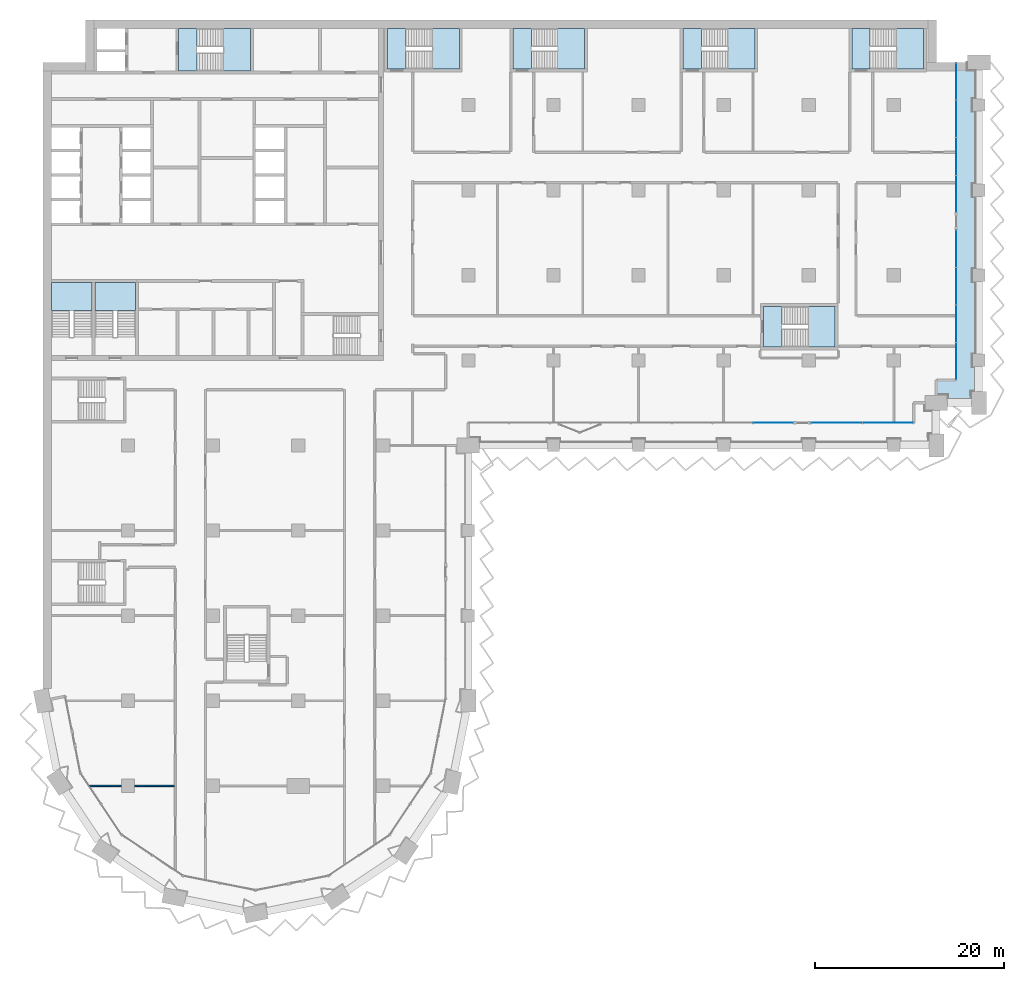
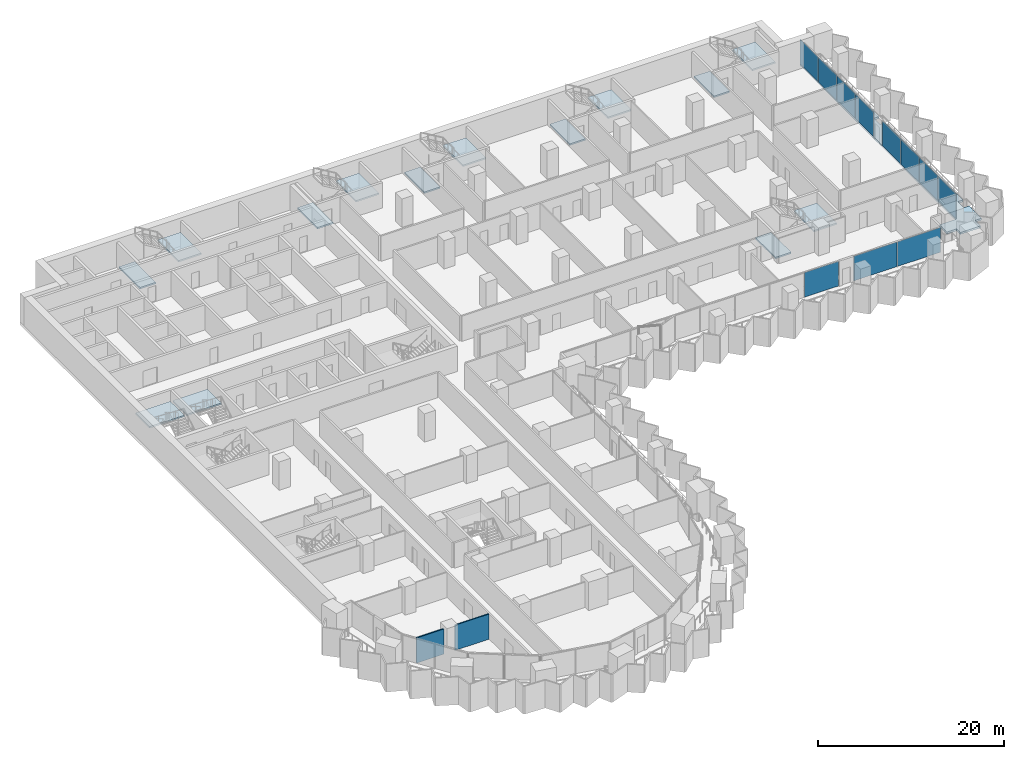
# One storey, part 9 of 28: 15 slabs, 11 plates, 2 walls, 12 elements without a shape of their own.
"""IFC4 building model written with IfcOpenShell, lengths in metres."""

from ifc_helpers import new_model, si_unit, direction, frame, frame_2d, origin, origin_2d, place, context, subcontext, project, spatial, polyline, rectangle, outline, extrude, material, layer, layer_set, type_object, element, aggregate, save


model = new_model("IFC4")

# Units and contexts
model_context = context("Model", 3, precision=1e-05, world=origin(), true_north=direction((0.0, 1.0)))
body_context = subcontext(model_context, "Body", "Model", "MODEL_VIEW")
ifc_project = project(units=[si_unit("LENGTHUNIT", "METRE"), si_unit("AREAUNIT", "SQUARE_METRE"), si_unit("VOLUMEUNIT", "CUBIC_METRE"), si_unit("PLANEANGLEUNIT", "RADIAN"), si_unit("MASSUNIT", "GRAM", prefix="KILO")], contexts=[model_context])

# Site, building, storey
site_placement = place(None, origin())
site = spatial("IfcSite", under=ifc_project, at=site_placement, CompositionType="ELEMENT")
building_placement = place(site_placement, origin())
building = spatial("IfcBuilding", under=site, at=building_placement, Name="Hunhe Ridgeline Campus", CompositionType="ELEMENT")
storey_placement = place(building_placement, frame((0.0, 0.0, 39.5)))
storey = spatial("IfcBuildingStorey", under=building, at=storey_placement, Name="L08", CompositionType="ELEMENT", Elevation=39.5)

# Curtain wall, plate
ifc_material_1 = material(Name="Aluminium 6063", Category="aluminium")
curtain_wall_type = type_object("IfcCurtainWallType", Name="Curtain wall CW-1", PredefinedType="NOTDEFINED", material=ifc_material_1)
curtain_wall_1_placement = place(storey_placement, origin())
curtain_wall_1 = element("IfcCurtainWall", 1, at=curtain_wall_1_placement, inside=storey, type_object=curtain_wall_type, Name="Curtain wall 13", PredefinedType="NOTDEFINED")
ifc_material_2 = material(Name="Low-e laminated glass", Category="glass")
ifc_layer_1 = layer(ifc_material_2, 0.028076171875)
ifc_layer_set_1 = layer_set([ifc_layer_1], Name="Curtain wall glass panel 28 low-e laminated")
plate_type = type_object("IfcPlateType", Name="Curtain wall glass panel 28 low-e laminated", PredefinedType="CURTAIN_PANEL", material=ifc_layer_set_1)
plate_1_placement = place(storey_placement, frame((77.257568359375, 56.40087890625, 0.0), z_axis=(0.0, 0.0, 1.0), x_axis=(0.999999999994, 3.602063e-06, 0.0)))
plate_1 = element("IfcPlate", 2, at=plate_1_placement, type_object=plate_type, Name="CW-1 panel 8", PredefinedType="CURTAIN_PANEL", context=body_context, shape_type="SweptSolid", body=[
    extrude(rectangle(XDim=4.213134765625, YDim=0.028076171875, at=origin_2d()), origin(), (0.0, 0.0, 1.0), 3.239990234375),
])
aggregate(curtain_wall_1, [plate_1])

# Curtain wall, plates
curtain_wall_2_placement = place(storey_placement, origin())
curtain_wall_2 = element("IfcCurtainWall", 3, at=curtain_wall_2_placement, inside=storey, type_object=curtain_wall_type, Name="Curtain wall 14", PredefinedType="NOTDEFINED")
plate_2_placement = place(storey_placement, frame((83.957763671875, 56.40087890625, 0.0), z_axis=(0.0, 0.0, 1.0), x_axis=(0.999999999994, 3.58625e-06, 0.0)))
plate_2 = element("IfcPlate", 4, at=plate_2_placement, type_object=plate_type, Name="CW-1 panel 1", PredefinedType="CURTAIN_PANEL", context=body_context, shape_type="SweptSolid", body=[
    extrude(rectangle(XDim=5.347412109375, YDim=0.028076171875, at=origin_2d()), origin(), (0.0, 0.0, 1.0), 3.239990234375),
])
plate_3_placement = place(storey_placement, frame((89.365234375, 56.40087890625, 0.0), z_axis=(0.0, 0.0, 1.0), x_axis=(0.999999999994, 3.58625e-06, 0.0)))
plate_3 = element("IfcPlate", 5, at=plate_3_placement, type_object=plate_type, Name="CW-1 panel 2", PredefinedType="CURTAIN_PANEL", context=body_context, shape_type="SweptSolid", body=[
    extrude(rectangle(XDim=5.347412109375, YDim=0.028076171875, at=origin_2d()), origin(), (0.0, 0.0, 1.0), 3.239990234375),
])
aggregate(curtain_wall_2, [plate_2, plate_3])

curtain_wall_3_placement = place(storey_placement, origin())
curtain_wall_3 = element("IfcCurtainWall", 6, at=curtain_wall_3_placement, inside=storey, type_object=curtain_wall_type, Name="Curtain wall 15", PredefinedType="NOTDEFINED")
plate_4_placement = place(storey_placement, frame((96.59912109375, 62.9033203125, 0.0), z_axis=(0.0, 0.0, 1.0), x_axis=(0.0, 1.0, 0.0)))
plate_4 = element("IfcPlate", 7, at=plate_4_placement, type_object=plate_type, Name="CW-1 panel 1", PredefinedType="CURTAIN_PANEL", context=body_context, shape_type="SweptSolid", body=[
    extrude(rectangle(XDim=3.884765625, YDim=0.028076171875, at=origin_2d()), origin(), (0.0, 0.0, 1.0), 3.239990234375),
])
plate_5_placement = place(storey_placement, frame((96.59912109375, 66.86328125, 0.0), z_axis=(0.0, 0.0, 1.0), x_axis=(0.0, 1.0, 0.0)))
plate_5 = element("IfcPlate", 8, at=plate_5_placement, type_object=plate_type, Name="CW-1 panel 2", PredefinedType="CURTAIN_PANEL", context=body_context, shape_type="SweptSolid", body=[
    extrude(rectangle(XDim=3.914794921875, YDim=0.028076171875, at=origin_2d()), origin(), (0.0, 0.0, 1.0), 3.239990234375),
])
plate_6_placement = place(storey_placement, frame((96.59912109375, 70.838134765625, 0.0), z_axis=(0.0, 0.0, 1.0), x_axis=(0.0, 1.0, 0.0)))
plate_6 = element("IfcPlate", 9, at=plate_6_placement, type_object=plate_type, Name="CW-1 panel 3", PredefinedType="CURTAIN_PANEL", context=body_context, shape_type="SweptSolid", body=[
    extrude(rectangle(XDim=3.914794921875, YDim=0.028076171875, at=origin_2d()), origin(), (0.0, 0.0, 1.0), 3.239990234375),
])
plate_7_placement = place(storey_placement, frame((96.59912109375, 74.798095703125, 0.0), z_axis=(0.0, 0.0, 1.0), x_axis=(0.0, 1.0, 0.0)))
plate_7 = element("IfcPlate", 10, at=plate_7_placement, type_object=plate_type, Name="CW-1 panel 4", PredefinedType="CURTAIN_PANEL", context=body_context, shape_type="SweptSolid", body=[
    extrude(rectangle(XDim=3.884765625, YDim=0.028076171875, at=origin_2d()), origin(), (0.0, 0.0, 1.0), 3.239990234375),
])
aggregate(curtain_wall_3, [plate_4, plate_5, plate_6, plate_7])

curtain_wall_4_placement = place(storey_placement, origin())
curtain_wall_4 = element("IfcCurtainWall", 11, at=curtain_wall_4_placement, inside=storey, type_object=curtain_wall_type, Name="Curtain wall 16", PredefinedType="NOTDEFINED")
plate_8_placement = place(storey_placement, frame((96.59912109375, 80.60302734375, 0.0), z_axis=(0.0, 0.0, 1.0), x_axis=(0.0, 1.0, 0.0)))
plate_8 = element("IfcPlate", 12, at=plate_8_placement, type_object=plate_type, Name="CW-1 panel 1", PredefinedType="CURTAIN_PANEL", context=body_context, shape_type="SweptSolid", body=[
    extrude(rectangle(XDim=3.884765625, YDim=0.028076171875, at=origin_2d()), origin(), (0.0, 0.0, 1.0), 3.239990234375),
])
plate_9_placement = place(storey_placement, frame((96.59912109375, 84.562744140625, 0.0), z_axis=(0.0, 0.0, 1.0), x_axis=(0.0, 1.0, 0.0)))
plate_9 = element("IfcPlate", 13, at=plate_9_placement, type_object=plate_type, Name="CW-1 panel 2", PredefinedType="CURTAIN_PANEL", context=body_context, shape_type="SweptSolid", body=[
    extrude(rectangle(XDim=3.914794921875, YDim=0.028076171875, at=origin_2d()), origin(), (0.0, 0.0, 1.0), 3.239990234375),
])
plate_10_placement = place(storey_placement, frame((96.59912109375, 88.53759765625, 0.0), z_axis=(0.0, 0.0, 1.0), x_axis=(0.0, 1.0, 0.0)))
plate_10 = element("IfcPlate", 14, at=plate_10_placement, type_object=plate_type, Name="CW-1 panel 3", PredefinedType="CURTAIN_PANEL", context=body_context, shape_type="SweptSolid", body=[
    extrude(rectangle(XDim=3.914794921875, YDim=0.028076171875, at=origin_2d()), origin(), (0.0, 0.0, 1.0), 3.239990234375),
])
plate_11_placement = place(storey_placement, frame((96.59912109375, 92.49755859375, 0.0), z_axis=(0.0, 0.0, 1.0), x_axis=(0.0, 1.0, 0.0)))
plate_11 = element("IfcPlate", 15, at=plate_11_placement, type_object=plate_type, Name="CW-1 panel 4", PredefinedType="CURTAIN_PANEL", context=body_context, shape_type="SweptSolid", body=[
    extrude(rectangle(XDim=3.884765625, YDim=0.028076171875, at=origin_2d()), origin(), (0.0, 0.0, 1.0), 3.239990234375),
])
aggregate(curtain_wall_4, [plate_8, plate_9, plate_10, plate_11])

# Slab
ifc_material_3 = material(Name="Concrete C40", Category="concrete")
ifc_layer_2 = layer(ifc_material_3, 0.25)
ifc_layer_set_2 = layer_set([ifc_layer_2], Name="Loggia slab 250 Concrete C40")
slab_type_1 = type_object("IfcSlabType", Name="Loggia slab 250 Concrete C40", PredefinedType="FLOOR", material=ifc_layer_set_2)
slab_1_placement = place(storey_placement, frame((0.0, 0.0, -0.25)))
element("IfcSlab", 16, at=slab_1_placement, inside=storey, type_object=slab_type_1, Name="Loggia slab 3", PredefinedType="FLOOR", context=body_context, shape_type="SweptSolid", body=[
    extrude(outline(polyline([(94.5, 59.300048828125), (95.699951171875, 59.300048828125), (95.699951171875, 58.5), (98.199951171875, 58.5), (98.199951171875, 59.699951171875), (99.0, 59.699951171875), (99.0, 62.35009765625), (98.35009765625, 62.35009765625), (98.35009765625, 63.64990234375), (99.0, 63.64990234375), (99.0, 71.35009765625), (98.35009765625, 71.35009765625), (98.35009765625, 72.64990234375), (99.0, 72.64990234375), (99.0, 80.35009765625), (98.35009765625, 80.35009765625), (98.35009765625, 81.64990234375), (99.0, 81.64990234375), (99.0, 89.35009765625), (98.35009765625, 89.35009765625), (98.35009765625, 90.64990234375), (99.0, 90.64990234375), (99.0, 93.699951171875), (97.800048828125, 93.699951171875), (97.800048828125, 94.5), (96.60009765625, 94.5), (96.60009765625, 60.89990234375), (94.5, 60.89990234375), (94.5, 59.300048828125)])), origin(), (0.0, 0.0, 1.0), 0.25),
])

# Stair, slab
stair_type = type_object("IfcStairType", Name="Reinforced concrete dog-leg stair 1950 Concrete C40", PredefinedType="HALF_TURN_STAIR", material=ifc_material_3)
stair_1_placement = place(storey_placement, origin())
stair_1 = element("IfcStair", 17, at=stair_1_placement, inside=storey, type_object=stair_type, Name="L08 S1", PredefinedType="HALF_TURN_STAIR")
ifc_layer_3 = layer(ifc_material_3, 0.199951171875)
ifc_layer_set_3 = layer_set([ifc_layer_3], Name="Reinforced concrete stair landing 200 Concrete C40")
slab_type_2 = type_object("IfcSlabType", Name="Reinforced concrete stair landing 200 Concrete C40", PredefinedType="LANDING", material=ifc_layer_set_3)
slab_2_placement = place(storey_placement, frame((0.0, 0.0, 1.64990234375)))
slab_2 = element("IfcSlab", 18, at=slab_2_placement, type_object=slab_type_2, Name="ST1 landing 1", PredefinedType="LANDING", context=body_context, shape_type="SweptSolid", body=[
    extrude(outline(polyline([(19.10009765625, 93.60009765625), (21.949951171875, 93.60009765625), (21.949951171875, 98.10009765625), (19.10009765625, 98.10009765625), (19.10009765625, 93.60009765625)])), origin(), (0.0, 0.0, 1.0), 0.2001953125),
])
aggregate(stair_1, [slab_2])

# Slab
slab_3_placement = place(storey_placement, frame((0.0, 0.0, -0.199951171875)))
element("IfcSlab", 19, at=slab_3_placement, inside=storey, type_object=slab_type_2, Name="L08 stair S1 floor landing", PredefinedType="LANDING", context=body_context, shape_type="SweptSolid", body=[
    extrude(outline(polyline([(14.35009765625, 93.60009765625), (16.300048828125, 93.60009765625), (16.300048828125, 98.10009765625), (14.35009765625, 98.10009765625), (14.35009765625, 93.60009765625)])), origin(), (0.0, 0.0, 1.0), 0.199951171875),
])

# Stair, slab
stair_2_placement = place(storey_placement, origin())
stair_2 = element("IfcStair", 20, at=stair_2_placement, inside=storey, type_object=stair_type, Name="L08 S3", PredefinedType="HALF_TURN_STAIR")
slab_4_placement = place(storey_placement, frame((0.0, 0.0, 1.64990234375)))
slab_4 = element("IfcSlab", 21, at=slab_4_placement, type_object=slab_type_2, Name="ST3 landing 1", PredefinedType="LANDING", context=body_context, shape_type="SweptSolid", body=[
    extrude(outline(polyline([(5.199951171875, 68.25), (5.199951171875, 71.25), (0.89990234375, 71.25), (0.89990234375, 68.25), (5.199951171875, 68.25)])), origin(), (0.0, 0.0, 1.0), 0.2001953125),
])
aggregate(stair_2, [slab_4])

stair_3_placement = place(storey_placement, origin())
stair_3 = element("IfcStair", 22, at=stair_3_placement, inside=storey, type_object=stair_type, Name="L08 S4", PredefinedType="HALF_TURN_STAIR")
slab_5_placement = place(storey_placement, frame((0.0, 0.0, 1.64990234375)))
slab_5 = element("IfcSlab", 23, at=slab_5_placement, type_object=slab_type_2, Name="ST4 landing 1", PredefinedType="LANDING", context=body_context, shape_type="SweptSolid", body=[
    extrude(outline(polyline([(9.800048828125, 68.25), (9.800048828125, 71.25), (5.5, 71.25), (5.5, 68.25), (9.800048828125, 68.25)])), origin(), (0.0, 0.0, 1.0), 0.2001953125),
])
aggregate(stair_3, [slab_5])

stair_4_placement = place(storey_placement, origin())
stair_4 = element("IfcStair", 24, at=stair_4_placement, inside=storey, type_object=stair_type, Name="L08 E1", PredefinedType="HALF_TURN_STAIR")
slab_6_placement = place(storey_placement, frame((0.0, 0.0, 1.64990234375)))
slab_6 = element("IfcSlab", 25, at=slab_6_placement, type_object=slab_type_2, Name="ST5 landing 1", PredefinedType="LANDING", context=body_context, shape_type="SweptSolid", body=[
    extrude(outline(polyline([(41.199951171875, 93.800048828125), (44.050048828125, 93.800048828125), (44.050048828125, 98.10009765625), (41.199951171875, 98.10009765625), (41.199951171875, 93.800048828125)])), origin(), (0.0, 0.0, 1.0), 0.2001953125),
])
aggregate(stair_4, [slab_6])

# Slab
slab_7_placement = place(storey_placement, frame((0.0, 0.0, -0.199951171875)))
element("IfcSlab", 26, at=slab_7_placement, inside=storey, type_object=slab_type_2, Name="L08 stair E1 floor landing", PredefinedType="LANDING", context=body_context, shape_type="SweptSolid", body=[
    extrude(outline(polyline([(36.449951171875, 93.800048828125), (38.39990234375, 93.800048828125), (38.39990234375, 98.10009765625), (36.449951171875, 98.10009765625), (36.449951171875, 93.800048828125)])), origin(), (0.0, 0.0, 1.0), 0.199951171875),
])

# Stair, slab
stair_5_placement = place(storey_placement, origin())
stair_5 = element("IfcStair", 27, at=stair_5_placement, inside=storey, type_object=stair_type, Name="L08 E2", PredefinedType="HALF_TURN_STAIR")
slab_8_placement = place(storey_placement, frame((0.0, 0.0, 1.64990234375)))
slab_8 = element("IfcSlab", 28, at=slab_8_placement, type_object=slab_type_2, Name="ST6 landing 1", PredefinedType="LANDING", context=body_context, shape_type="SweptSolid", body=[
    extrude(outline(polyline([(54.449951171875, 93.800048828125), (57.300048828125, 93.800048828125), (57.300048828125, 98.10009765625), (54.449951171875, 98.10009765625), (54.449951171875, 93.800048828125)])), origin(), (0.0, 0.0, 1.0), 0.2001953125),
])
aggregate(stair_5, [slab_8])

# Slab
slab_9_placement = place(storey_placement, frame((0.0, 0.0, -0.199951171875)))
element("IfcSlab", 29, at=slab_9_placement, inside=storey, type_object=slab_type_2, Name="L08 stair E2 floor landing", PredefinedType="LANDING", context=body_context, shape_type="SweptSolid", body=[
    extrude(outline(polyline([(49.699951171875, 93.800048828125), (51.64990234375, 93.800048828125), (51.64990234375, 98.10009765625), (49.699951171875, 98.10009765625), (49.699951171875, 93.800048828125)])), origin(), (0.0, 0.0, 1.0), 0.199951171875),
])

# Stair, slab
stair_6_placement = place(storey_placement, origin())
stair_6 = element("IfcStair", 30, at=stair_6_placement, inside=storey, type_object=stair_type, Name="L08 E3", PredefinedType="HALF_TURN_STAIR")
slab_10_placement = place(storey_placement, frame((0.0, 0.0, 1.64990234375)))
slab_10 = element("IfcSlab", 31, at=slab_10_placement, type_object=slab_type_2, Name="ST7 landing 1", PredefinedType="LANDING", context=body_context, shape_type="SweptSolid", body=[
    extrude(outline(polyline([(72.449951171875, 93.800048828125), (75.300048828125, 93.800048828125), (75.300048828125, 98.10009765625), (72.449951171875, 98.10009765625), (72.449951171875, 93.800048828125)])), origin(), (0.0, 0.0, 1.0), 0.2001953125),
])
aggregate(stair_6, [slab_10])

# Slab
slab_11_placement = place(storey_placement, frame((0.0, 0.0, -0.199951171875)))
element("IfcSlab", 32, at=slab_11_placement, inside=storey, type_object=slab_type_2, Name="L08 stair E3 floor landing", PredefinedType="LANDING", context=body_context, shape_type="SweptSolid", body=[
    extrude(outline(polyline([(67.699951171875, 93.800048828125), (69.64990234375, 93.800048828125), (69.64990234375, 98.10009765625), (67.699951171875, 98.10009765625), (67.699951171875, 93.800048828125)])), origin(), (0.0, 0.0, 1.0), 0.199951171875),
])

# Stair, slab
stair_7_placement = place(storey_placement, origin())
stair_7 = element("IfcStair", 33, at=stair_7_placement, inside=storey, type_object=stair_type, Name="L08 E4", PredefinedType="HALF_TURN_STAIR")
slab_12_placement = place(storey_placement, frame((0.0, 0.0, 1.64990234375)))
slab_12 = element("IfcSlab", 34, at=slab_12_placement, type_object=slab_type_2, Name="ST8 landing 1", PredefinedType="LANDING", context=body_context, shape_type="SweptSolid", body=[
    extrude(outline(polyline([(90.300048828125, 93.800048828125), (93.14990234375, 93.800048828125), (93.14990234375, 98.10009765625), (90.300048828125, 98.10009765625), (90.300048828125, 93.800048828125)])), origin(), (0.0, 0.0, 1.0), 0.2001953125),
])
aggregate(stair_7, [slab_12])

# Slab
slab_13_placement = place(storey_placement, frame((0.0, 0.0, -0.199951171875)))
element("IfcSlab", 35, at=slab_13_placement, inside=storey, type_object=slab_type_2, Name="L08 stair E4 floor landing", PredefinedType="LANDING", context=body_context, shape_type="SweptSolid", body=[
    extrude(outline(polyline([(85.550048828125, 93.800048828125), (87.5, 93.800048828125), (87.5, 98.10009765625), (85.550048828125, 98.10009765625), (85.550048828125, 93.800048828125)])), origin(), (0.0, 0.0, 1.0), 0.199951171875),
])

# Stair, slab
stair_8_placement = place(storey_placement, origin())
stair_8 = element("IfcStair", 36, at=stair_8_placement, inside=storey, type_object=stair_type, Name="L08 E5", PredefinedType="HALF_TURN_STAIR")
slab_14_placement = place(storey_placement, frame((0.0, 0.0, 1.64990234375)))
slab_14 = element("IfcSlab", 37, at=slab_14_placement, type_object=slab_type_2, Name="ST10 landing 1", PredefinedType="LANDING", context=body_context, shape_type="SweptSolid", body=[
    extrude(outline(polyline([(80.949951171875, 64.39990234375), (83.800048828125, 64.39990234375), (83.800048828125, 68.699951171875), (80.949951171875, 68.699951171875), (80.949951171875, 64.39990234375)])), origin(), (0.0, 0.0, 1.0), 0.2001953125),
])
aggregate(stair_8, [slab_14])

# Slab
slab_15_placement = place(storey_placement, frame((0.0, 0.0, -0.199951171875)))
element("IfcSlab", 38, at=slab_15_placement, inside=storey, type_object=slab_type_2, Name="L08 stair E5 floor landing", PredefinedType="LANDING", context=body_context, shape_type="SweptSolid", body=[
    extrude(outline(polyline([(76.199951171875, 64.39990234375), (78.14990234375, 64.39990234375), (78.14990234375, 68.699951171875), (76.199951171875, 68.699951171875), (76.199951171875, 64.39990234375)])), origin(), (0.0, 0.0, 1.0), 0.199951171875),
])

# Walls
ifc_material_4 = material(Name="Gypsum board partition")
ifc_layer_4 = layer(ifc_material_4, 0.14990234375)
ifc_layer_set_4 = layer_set([ifc_layer_4], Name="Room partition 150 gypsum board on steel studs")
wall_type = type_object("IfcWallType", Name="Room partition 150 gypsum board on steel studs", PredefinedType="PARTITIONING", material=ifc_layer_set_4)
wall_1_placement = place(storey_placement, frame((4.925537109375, 18.0, 0.0), z_axis=(0.0, 0.0, 1.0), x_axis=(1.0, 0.0, 0.0)))
element("IfcWall", 39, at=wall_1_placement, inside=storey, type_object=wall_type, Name="F-L08-wall-001", PredefinedType="PARTITIONING", context=body_context, shape_type="SweptSolid", body=[
    extrude(rectangle(XDim=3.37451171875, YDim=0.14990234375, at=frame_2d((1.687255859375, 0.0))), origin(), (0.0, 0.0, 1.0), 3.300048828125),
])
wall_2_placement = place(storey_placement, frame((9.699951171875, 18.0, 0.0), z_axis=(0.0, 0.0, 1.0), x_axis=(1.0, 0.0, 0.0)))
element("IfcWall", 40, at=wall_2_placement, inside=storey, type_object=wall_type, Name="F-L08-wall-002", PredefinedType="PARTITIONING", context=body_context, shape_type="SweptSolid", body=[
    extrude(rectangle(XDim=4.199951171875, YDim=0.14990234375, at=frame_2d((2.10009765625, 0.0))), origin(), (0.0, 0.0, 1.0), 3.300048828125),
])

save(model, "model.ifc")
